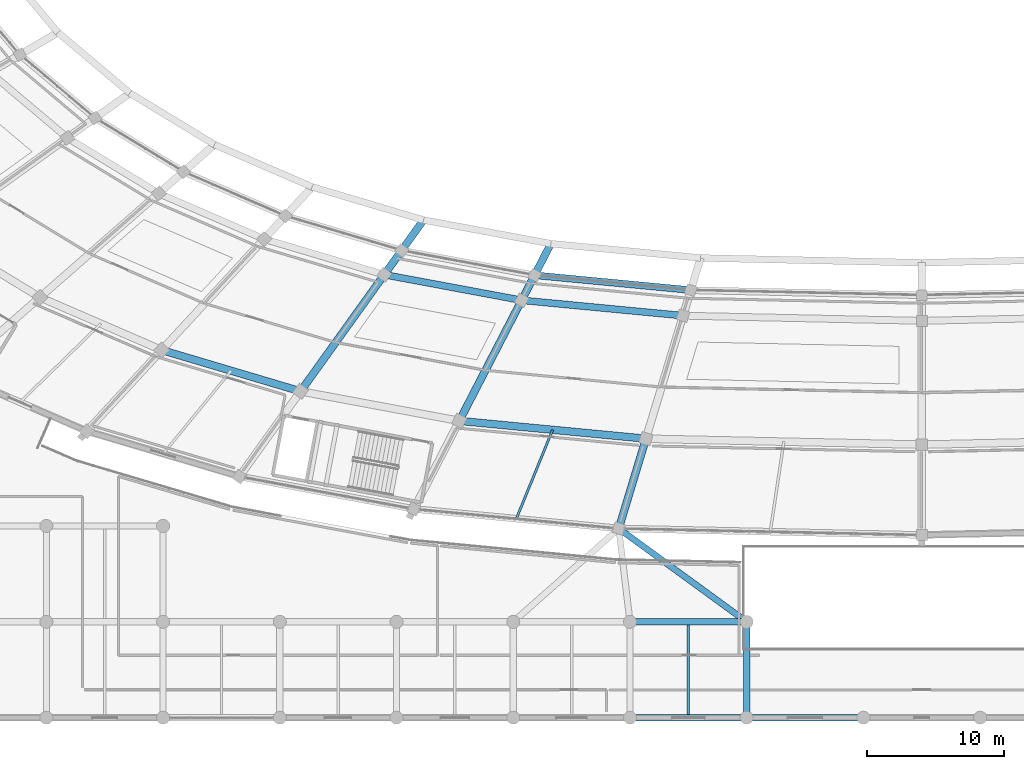
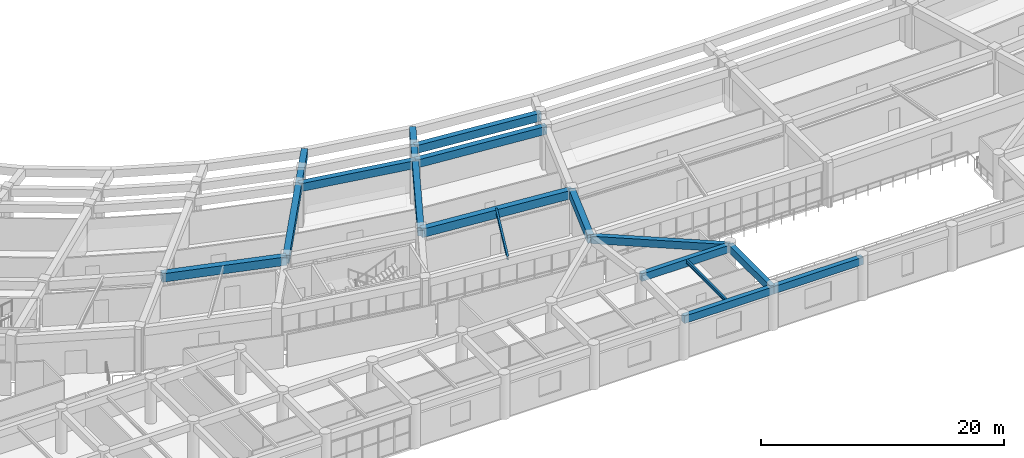
# One storey, part 22 of 145: 15 beams.
"""IFC4 building model written with IfcOpenShell, lengths in metres."""

from ifc_helpers import new_model, si_unit, direction, frame, origin, origin_2d, place, context, subcontext, project, spatial, rectangle, i_section, extrude, material, material_profile, profile_set, type_object, element, save


model = new_model("IFC4")

# Units and contexts
model_context = context("Model", 3, precision=1e-05, world=origin(), true_north=direction((0.0, 1.0)))
body_context = subcontext(model_context, "Body", "Model", "MODEL_VIEW")
ifc_project = project(units=[si_unit("LENGTHUNIT", "METRE"), si_unit("AREAUNIT", "SQUARE_METRE"), si_unit("VOLUMEUNIT", "CUBIC_METRE"), si_unit("PLANEANGLEUNIT", "RADIAN"), si_unit("MASSUNIT", "GRAM", prefix="KILO")], contexts=[model_context])

# Site, building, storey
site_placement = place(None, origin())
site = spatial("IfcSite", under=ifc_project, at=site_placement, CompositionType="ELEMENT")
building_placement = place(site_placement, origin())
building = spatial("IfcBuilding", under=site, at=building_placement, Name="Mphavela Belvedere Stadium", CompositionType="ELEMENT")
storey_placement = place(building_placement, frame((0.0, 0.0, 10.199951171875)))
storey = spatial("IfcBuildingStorey", under=building, at=storey_placement, Name="L02", CompositionType="ELEMENT", Elevation=10.199951171875)

# Beams
ifc_material_1 = material(Name="Steel S355", Category="steel")
ifc_material_profile_1 = material_profile(ifc_material_1, i_section(OverallWidth=0.169921875, OverallDepth=0.360107421875, WebThickness=0.008056640625, FlangeThickness=0.0126953125, at=origin_2d()), Name="IPE 360")
ifc_profile_set_1 = profile_set([ifc_material_profile_1], Name="Steel S355")
beam_type_1 = type_object("IfcBeamType", Name="BM-JOIST-IPE360", PredefinedType="JOIST", material=ifc_profile_set_1)
beam_1_placement = place(storey_placement, frame((88.05859375, 21.015380859375, 4.070068359375), z_axis=(-0.378004122754, -0.925803911841, 0.0), x_axis=(0.925803911841, -0.378004122754, 0.0)))
element("IfcBeam", 1, at=beam_1_placement, inside=storey, type_object=beam_type_1, Name="Concourse floor joist L02-35", PredefinedType="JOIST", context=body_context, shape_type="SweptSolid", body=[
    extrude(i_section(OverallWidth=0.169921875, OverallDepth=0.360107421875, WebThickness=0.008056640625, FlangeThickness=0.0126953125, at=origin_2d()), origin(), (0.0, 0.0, 1.0), 7.0166015625),
])
beam_2_placement = place(storey_placement, frame((97.962890625, 0.22509765625, 4.06005859375), z_axis=(0.0, 1.0, 0.0), x_axis=(-1.0, 0.0, 0.0)))
element("IfcBeam", 2, at=beam_2_placement, inside=storey, type_object=beam_type_1, Name="South Axial Triumphal Peristyle Portico secondary joist L02 12-1", PredefinedType="JOIST", context=body_context, shape_type="SweptSolid", body=[
    extrude(i_section(OverallWidth=0.169921875, OverallDepth=0.360107421875, WebThickness=0.008056640625, FlangeThickness=0.0126953125, at=origin_2d()), origin(), (0.0, 0.0, 1.0), 6.5498046875),
])
ifc_material_2 = material(Name="Concrete C40/50", Category="concrete")
ifc_material_profile_2 = material_profile(ifc_material_2, rectangle(XDim=0.449951171875, YDim=0.75, at=origin_2d()), Name="RC 450x750")
ifc_profile_set_2 = profile_set([ifc_material_profile_2], Name="Concrete C40/50")
beam_type_2 = type_object("IfcBeamType", Name="BM-RC450x750", PredefinedType="BEAM", material=ifc_profile_set_2)
for number, where, z_axis, x_axis, name in (
    (3, (93.7041015625, 0.0, 3.864990234375), (1.0, 0.0, 0.0), (0.0, 1.0, 0.0), "South Axial Triumphal Peristyle Portico entablature beam X L02 12-1"),
    (4, (93.7041015625, 7.0, 3.864990234375), (1.0, 0.0, 0.0), (0.0, 1.0, 0.0), "South Axial Triumphal Peristyle Portico entablature beam X L02 12-2"),
):
    element("IfcBeam", number, at=place(storey_placement, frame(where, z_axis=z_axis, x_axis=x_axis)), inside=storey, type_object=beam_type_2, Name=name, PredefinedType="BEAM", context=body_context, shape_type="SweptSolid", body=[
        extrude(rectangle(XDim=0.449951171875, YDim=0.75, at=origin_2d()), origin(), (0.0, 0.0, 1.0), 8.517822265625),
    ])
beam_3_placement = place(storey_placement, frame((102.221923828125, 0.0, 3.864990234375), z_axis=(1.0, 0.0, 0.0), x_axis=(0.0, 1.0, 0.0)))
element("IfcBeam", 5, at=beam_3_placement, inside=storey, type_object=beam_type_2, Name="South Axial Triumphal Peristyle Portico entablature beam X L02 13-1", PredefinedType="BEAM", context=body_context, shape_type="SweptSolid", body=[
    extrude(rectangle(XDim=0.449951171875, YDim=0.75, at=origin_2d()), origin(), (0.0, 0.0, 1.0), 8.51904296875),
])
beam_4_placement = place(storey_placement, frame((102.221923828125, 0.0, 3.864990234375), z_axis=(0.0, 1.0, 0.0), x_axis=(-1.0, 0.0, 0.0)))
element("IfcBeam", 6, at=beam_4_placement, inside=storey, type_object=beam_type_2, Name="South Axial Triumphal Peristyle Portico entablature beam Y L02 13-1", PredefinedType="BEAM", context=body_context, shape_type="SweptSolid", body=[
    extrude(rectangle(XDim=0.449951171875, YDim=0.75, at=origin_2d()), origin(), (0.0, 0.0, 1.0), 7.0),
])
beam_5_placement = place(storey_placement, frame((102.221923828125, 7.0, 3.864990234375), z_axis=(-0.808075844415, 0.589078457994, 0.0), x_axis=(-0.589078457994, -0.808075844415, 0.0)))
element("IfcBeam", 7, at=beam_5_placement, inside=storey, type_object=beam_type_2, Name="South Axial Triumphal Peristyle Portico bowl link girder L02-1", PredefinedType="BEAM", context=body_context, shape_type="SweptSolid", body=[
    extrude(rectangle(XDim=0.449951171875, YDim=0.75, at=origin_2d()), origin(), (0.0, 0.0, 1.0), 11.553955078125),
])
ifc_material_3 = material(Name="Concrete C40/50", Category="concrete")
ifc_material_profile_3 = material_profile(ifc_material_3, rectangle(XDim=0.5, YDim=0.800048828125, at=origin_2d()), Name="RC 500x800")
ifc_profile_set_3 = profile_set([ifc_material_profile_3], Name="Concrete C40/50")
beam_type_3 = type_object("IfcBeamType", Name="BM-RC500x800", PredefinedType="BEAM", material=ifc_profile_set_3)
beam_6_placement = place(storey_placement, frame((75.769775390625, 32.33349609375, 3.85009765625), z_axis=(0.983098802226, -0.183075790485, 0.0), x_axis=(0.183075790485, 0.983098802226, 0.0)))
element("IfcBeam", 8, at=beam_6_placement, inside=storey, type_object=beam_type_3, Name="Circumferential girder L02 R2-34", PredefinedType="BEAM", context=body_context, shape_type="SweptSolid", body=[
    extrude(rectangle(XDim=0.5, YDim=0.800048828125, at=origin_2d()), origin(), (0.0, 0.0, 1.0), 10.198974609375),
])
beam_7_placement = place(storey_placement, frame((86.74072265625, 32.294189453125, 3.85009765625), z_axis=(0.995485216305, -0.094916722014, 0.0), x_axis=(0.094916722014, 0.995485216305, 0.0)))
element("IfcBeam", 9, at=beam_7_placement, inside=storey, type_object=beam_type_3, Name="Circumferential girder L02 R1-35", PredefinedType="BEAM", context=body_context, shape_type="SweptSolid", body=[
    extrude(rectangle(XDim=0.5, YDim=0.800048828125, at=origin_2d()), origin(), (0.0, 0.0, 1.0), 11.453857421875),
])
beam_8_placement = place(storey_placement, frame((85.79638671875, 30.46630859375, 3.85009765625), z_axis=(0.9954829494, -0.094940494283, 0.0), x_axis=(0.094940494283, 0.9954829494, 0.0)))
element("IfcBeam", 10, at=beam_8_placement, inside=storey, type_object=beam_type_3, Name="Circumferential girder L02 R2-35", PredefinedType="BEAM", context=body_context, shape_type="SweptSolid", body=[
    extrude(rectangle(XDim=0.5, YDim=0.800048828125, at=origin_2d()), origin(), (0.0, 0.0, 1.0), 11.836669921875),
])
ifc_material_4 = material(Name="Concrete C40/50", Category="concrete")
ifc_material_profile_4 = material_profile(ifc_material_4, rectangle(XDim=0.550048828125, YDim=0.85009765625, at=origin_2d()), Name="RC 550x850")
ifc_profile_set_4 = profile_set([ifc_material_profile_4], Name="Concrete C40/50")
beam_type_4 = type_object("IfcBeamType", Name="BM-RC550x850", PredefinedType="BEAM", material=ifc_profile_set_4)
beam_9_placement = place(storey_placement, frame((59.523681640625, 26.83203125, 3.824951171875), z_axis=(0.958655230784, -0.284570111731, 0.0), x_axis=(0.284570111731, 0.958655230784, 0.0)))
element("IfcBeam", 11, at=beam_9_placement, inside=storey, type_object=beam_type_4, Name="Circumferential girder L02 R3-33", PredefinedType="BEAM", context=body_context, shape_type="SweptSolid", body=[
    extrude(rectangle(XDim=0.550048828125, YDim=0.85009765625, at=origin_2d()), origin(), (0.0, 0.0, 1.0), 10.57568359375),
])
beam_10_placement = place(storey_placement, frame((81.249755859375, 21.66455078125, 3.824951171875), z_axis=(0.995483834103, -0.094931217412, 0.0), x_axis=(0.094931217412, 0.995483834103, 0.0)))
element("IfcBeam", 12, at=beam_10_placement, inside=storey, type_object=beam_type_4, Name="Circumferential girder L02 R3-35", PredefinedType="BEAM", context=body_context, shape_type="SweptSolid", body=[
    extrude(rectangle(XDim=0.550048828125, YDim=0.85009765625, at=origin_2d()), origin(), (0.0, 0.0, 1.0), 13.67919921875),
])
beam_11_placement = place(storey_placement, frame((94.8671875, 20.365966796875, 3.824951171875), z_axis=(-0.28918755919, -0.95727245631, 0.0), x_axis=(0.95727245631, -0.28918755919, 0.0)))
element("IfcBeam", 13, at=beam_11_placement, inside=storey, type_object=beam_type_4, Name="Radial concourse girder L02 R3R4-36", PredefinedType="BEAM", context=body_context, shape_type="SweptSolid", body=[
    extrude(rectangle(XDim=0.550048828125, YDim=0.85009765625, at=origin_2d()), origin(), (0.0, 0.0, 1.0), 6.8525390625),
])
beam_12_placement = place(storey_placement, frame((78.6357421875, 36.3271484375, 3.824951171875), z_axis=(-0.583032856155, -0.812448575999, 0.0), x_axis=(0.812448575999, -0.583032856155, 0.0)))
element("IfcBeam", 14, at=beam_12_placement, inside=storey, type_object=beam_type_4, Name="Upper tier box-front outrigger girder 34", PredefinedType="BEAM", context=body_context, shape_type="SweptSolid", body=[
    extrude(rectangle(XDim=0.550048828125, YDim=0.85009765625, at=origin_2d()), origin(), (0.0, 0.0, 1.0), 15.391357421875),
])
beam_13_placement = place(storey_placement, frame((87.9296875, 34.59619140625, 3.824951171875), z_axis=(-0.458943261437, -0.888465577713, 0.0), x_axis=(0.888465577713, -0.458943261437, 0.0)))
element("IfcBeam", 15, at=beam_13_placement, inside=storey, type_object=beam_type_4, Name="Upper tier box-front outrigger girder 35", PredefinedType="BEAM", context=body_context, shape_type="SweptSolid", body=[
    extrude(rectangle(XDim=0.550048828125, YDim=0.85009765625, at=origin_2d()), origin(), (0.0, 0.0, 1.0), 14.554931640625),
])

save(model, "model.ifc")
